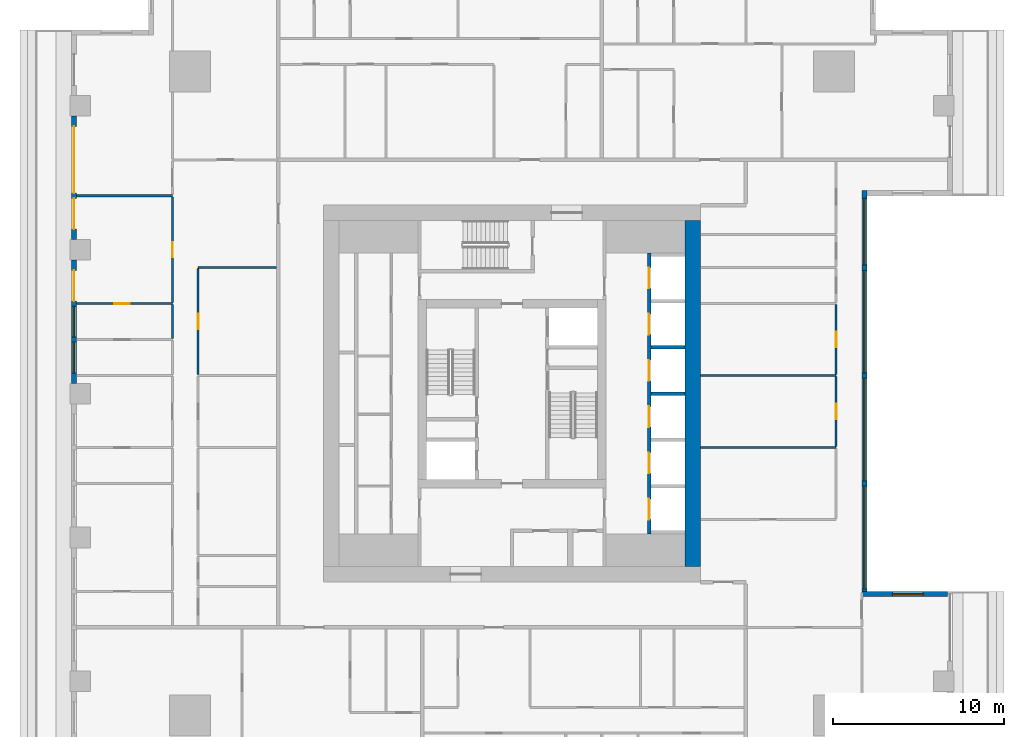
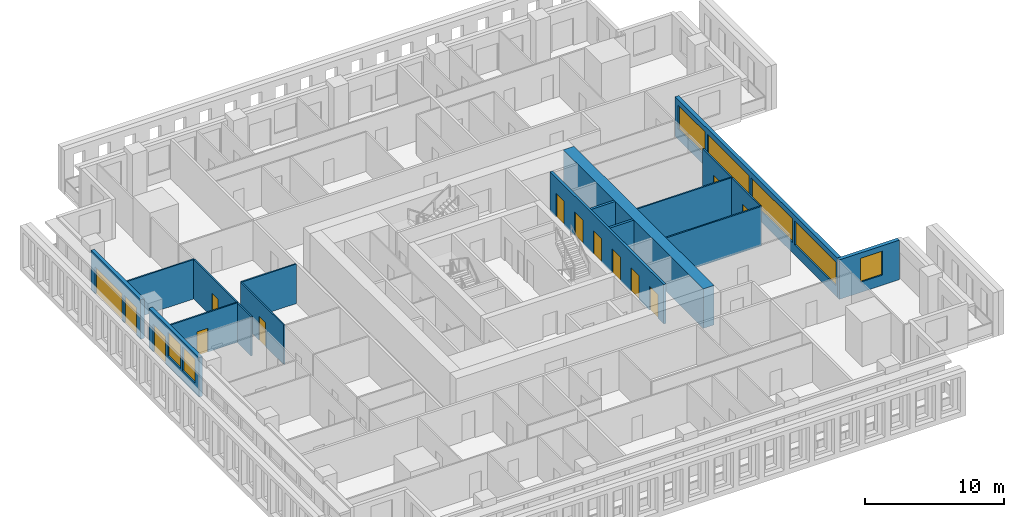
# One storey, part 6 of 15: 18 walls, 14 doors, 7 windows, 21 openings.
"""IFC4 building model written with IfcOpenShell, lengths in metres."""

from ifc_helpers import new_model, si_unit, direction, frame, frame_2d, origin, place, context, subcontext, project, spatial, rectangle, extrude, material, layer, layer_set, type_object, element, fill, save


model = new_model("IFC4")

# Units and contexts
model_context = context("Model", 3, precision=1e-05, world=origin(), true_north=direction((0.0, 1.0)))
body_context = subcontext(model_context, "Body", "Model", "MODEL_VIEW")
ifc_project = project(units=[si_unit("LENGTHUNIT", "METRE"), si_unit("AREAUNIT", "SQUARE_METRE"), si_unit("VOLUMEUNIT", "CUBIC_METRE"), si_unit("PLANEANGLEUNIT", "RADIAN"), si_unit("MASSUNIT", "GRAM", prefix="KILO")], contexts=[model_context])

# Site, building, storey
site_placement = place(None, origin())
site = spatial("IfcSite", under=ifc_project, at=site_placement, CompositionType="ELEMENT")
building_placement = place(site_placement, origin())
building = spatial("IfcBuilding", under=site, at=building_placement, Name="Khepri Terraces", CompositionType="ELEMENT")
storey_placement = place(building_placement, frame((0.0, 0.0, 223.5)))
storey = spatial("IfcBuildingStorey", under=building, at=storey_placement, Name="L53", CompositionType="ELEMENT", Elevation=223.5)

# Wall, openings, doors
ifc_material_1 = material(Name="Concrete C50/60", Category="concrete")
ifc_layer_1 = layer(ifc_material_1, 0.199951171875, Name="Concrete C50/60", Category="concrete")
ifc_layer_set_1 = layer_set([ifc_layer_1], Name="Concrete C50/60")
wall_type_1 = type_object("IfcWallType", Name="Core wall 200 C50/60", PredefinedType="SHEAR", material=ifc_layer_set_1)
wall_1_placement = place(storey_placement, frame((8.0, -8.199951171875, 0.0), z_axis=(0.0, 0.0, 1.0), x_axis=(0.0, 1.0, 0.0)))
wall_1 = element("IfcWall", 1, at=wall_1_placement, inside=storey, type_object=wall_type_1, Name="Core wall SH02 L53", PredefinedType="SHEAR", context=body_context, shape_type="SweptSolid", body=[
    extrude(rectangle(XDim=16.39990234375, YDim=0.199951171875, at=frame_2d((8.199951171875, 0.0))), origin(), (0.0, 0.0, 1.0), 3.47998046875),
])
opening_1_placement = place(wall_1_placement, frame((0.85009765625, 0.0, 0.0)))
opening_1 = element("IfcOpeningElement", 2, at=opening_1_placement, cuts=wall_1, Name="Opening L53-C01", PredefinedType="OPENING", context=body_context, shape_type="SweptSolid", body=[
    extrude(rectangle(XDim=1.199951171875, YDim=2.10009765625, at=frame_2d((0.60009765625, 1.050048828125))), frame((0.0, 0.10986328125, 0.0), z_axis=(0.0, -1.0, 0.0), x_axis=(1.0, 0.0, 0.0)), (0.0, 0.0, 1.0), 0.219970703125),
])
opening_2_placement = place(wall_1_placement, frame((3.550048828125, 0.0, 0.0)))
opening_2 = element("IfcOpeningElement", 3, at=opening_2_placement, cuts=wall_1, Name="Opening L53-C02", PredefinedType="OPENING", context=body_context, shape_type="SweptSolid", body=[
    extrude(rectangle(XDim=1.199951171875, YDim=2.10009765625, at=frame_2d((0.60009765625, 1.050048828125))), frame((0.0, 0.10986328125, 0.0), z_axis=(0.0, -1.0, 0.0), x_axis=(1.0, 0.0, 0.0)), (0.0, 0.0, 1.0), 0.219970703125),
])
opening_3_placement = place(wall_1_placement, frame((6.25, 0.0, 0.0)))
opening_3 = element("IfcOpeningElement", 4, at=opening_3_placement, cuts=wall_1, Name="Opening L53-C03", PredefinedType="OPENING", context=body_context, shape_type="SweptSolid", body=[
    extrude(rectangle(XDim=1.199951171875, YDim=2.10009765625, at=frame_2d((0.60009765625, 1.050048828125))), frame((0.0, 0.10986328125, 0.0), z_axis=(0.0, -1.0, 0.0), x_axis=(1.0, 0.0, 0.0)), (0.0, 0.0, 1.0), 0.219970703125),
])
opening_4_placement = place(wall_1_placement, frame((8.949951171875, 0.0, 0.0)))
opening_4 = element("IfcOpeningElement", 5, at=opening_4_placement, cuts=wall_1, Name="Opening L53-C04", PredefinedType="OPENING", context=body_context, shape_type="SweptSolid", body=[
    extrude(rectangle(XDim=1.199951171875, YDim=2.10009765625, at=frame_2d((0.60009765625, 1.050048828125))), frame((0.0, 0.10986328125, 0.0), z_axis=(0.0, -1.0, 0.0), x_axis=(1.0, 0.0, 0.0)), (0.0, 0.0, 1.0), 0.219970703125),
])
opening_5_placement = place(wall_1_placement, frame((11.64990234375, 0.0, 0.0)))
opening_5 = element("IfcOpeningElement", 6, at=opening_5_placement, cuts=wall_1, Name="Opening L53-C05", PredefinedType="OPENING", context=body_context, shape_type="SweptSolid", body=[
    extrude(rectangle(XDim=1.199951171875, YDim=2.10009765625, at=frame_2d((0.60009765625, 1.050048828125))), frame((0.0, 0.10986328125, 0.0), z_axis=(0.0, -1.0, 0.0), x_axis=(1.0, 0.0, 0.0)), (0.0, 0.0, 1.0), 0.219970703125),
])
opening_6_placement = place(wall_1_placement, frame((14.35009765625, 0.0, 0.0)))
opening_6 = element("IfcOpeningElement", 7, at=opening_6_placement, cuts=wall_1, Name="Opening L53-C06", PredefinedType="OPENING", context=body_context, shape_type="SweptSolid", body=[
    extrude(rectangle(XDim=1.199951171875, YDim=2.10009765625, at=frame_2d((0.60009765625, 1.050048828125))), frame((0.0, 0.10986328125, 0.0), z_axis=(0.0, -1.0, 0.0), x_axis=(1.0, 0.0, 0.0)), (0.0, 0.0, 1.0), 0.219970703125),
])
ifc_material_2 = material(Name="Stainless steel 304", Category="steel")
door_type_1 = type_object("IfcDoorType", Name="DR-CORE-LANDING-1200", OperationType="NOTDEFINED", PredefinedType="DOOR", material=ifc_material_2)
door_1_placement = place(opening_1_placement, origin())
door_1 = element("IfcDoor", 8, at=door_1_placement, inside=storey, type_object=door_type_1, Name="Lift landing door L53-C01", OperationType="SLIDING_TO_LEFT", OverallHeight=2.10009765625, OverallWidth=1.199951171875, PredefinedType="DOOR", context=body_context, shape_type="SweptSolid", body=[
    extrude(rectangle(XDim=1.199951171875, YDim=2.10009765625, at=frame_2d((0.60009765625, 1.050048828125))), frame((0.0, 0.02490234375, 0.0), z_axis=(0.0, -1.0, 0.0), x_axis=(1.0, 0.0, 0.0)), (0.0, 0.0, 1.0), 0.050048828125),
])
fill(opening_1, door_1)
door_2_placement = place(opening_2_placement, origin())
door_2 = element("IfcDoor", 9, at=door_2_placement, inside=storey, type_object=door_type_1, Name="Lift landing door L53-C02", OperationType="SLIDING_TO_LEFT", OverallHeight=2.10009765625, OverallWidth=1.199951171875, PredefinedType="DOOR", context=body_context, shape_type="SweptSolid", body=[
    extrude(rectangle(XDim=1.199951171875, YDim=2.10009765625, at=frame_2d((0.60009765625, 1.050048828125))), frame((0.0, 0.02490234375, 0.0), z_axis=(0.0, -1.0, 0.0), x_axis=(1.0, 0.0, 0.0)), (0.0, 0.0, 1.0), 0.050048828125),
])
fill(opening_2, door_2)
door_3_placement = place(opening_3_placement, origin())
door_3 = element("IfcDoor", 10, at=door_3_placement, inside=storey, type_object=door_type_1, Name="Lift landing door L53-C03", OperationType="SLIDING_TO_LEFT", OverallHeight=2.10009765625, OverallWidth=1.199951171875, PredefinedType="DOOR", context=body_context, shape_type="SweptSolid", body=[
    extrude(rectangle(XDim=1.199951171875, YDim=2.10009765625, at=frame_2d((0.60009765625, 1.050048828125))), frame((0.0, 0.02490234375, 0.0), z_axis=(0.0, -1.0, 0.0), x_axis=(1.0, 0.0, 0.0)), (0.0, 0.0, 1.0), 0.050048828125),
])
fill(opening_3, door_3)
door_4_placement = place(opening_4_placement, origin())
door_4 = element("IfcDoor", 11, at=door_4_placement, inside=storey, type_object=door_type_1, Name="Lift landing door L53-C04", OperationType="SLIDING_TO_LEFT", OverallHeight=2.10009765625, OverallWidth=1.199951171875, PredefinedType="DOOR", context=body_context, shape_type="SweptSolid", body=[
    extrude(rectangle(XDim=1.199951171875, YDim=2.10009765625, at=frame_2d((0.60009765625, 1.050048828125))), frame((0.0, 0.02490234375, 0.0), z_axis=(0.0, -1.0, 0.0), x_axis=(1.0, 0.0, 0.0)), (0.0, 0.0, 1.0), 0.050048828125),
])
fill(opening_4, door_4)
door_5_placement = place(opening_5_placement, origin())
door_5 = element("IfcDoor", 12, at=door_5_placement, inside=storey, type_object=door_type_1, Name="Lift landing door L53-C05", OperationType="SLIDING_TO_LEFT", OverallHeight=2.10009765625, OverallWidth=1.199951171875, PredefinedType="DOOR", context=body_context, shape_type="SweptSolid", body=[
    extrude(rectangle(XDim=1.199951171875, YDim=2.10009765625, at=frame_2d((0.60009765625, 1.050048828125))), frame((0.0, 0.02490234375, 0.0), z_axis=(0.0, -1.0, 0.0), x_axis=(1.0, 0.0, 0.0)), (0.0, 0.0, 1.0), 0.050048828125),
])
fill(opening_5, door_5)
door_6_placement = place(opening_6_placement, origin())
door_6 = element("IfcDoor", 13, at=door_6_placement, inside=storey, type_object=door_type_1, Name="Lift landing door L53-C06", OperationType="SLIDING_TO_LEFT", OverallHeight=2.10009765625, OverallWidth=1.199951171875, PredefinedType="DOOR", context=body_context, shape_type="SweptSolid", body=[
    extrude(rectangle(XDim=1.199951171875, YDim=2.10009765625, at=frame_2d((0.60009765625, 1.050048828125))), frame((0.0, 0.02490234375, 0.0), z_axis=(0.0, -1.0, 0.0), x_axis=(1.0, 0.0, 0.0)), (0.0, 0.0, 1.0), 0.050048828125),
])
fill(opening_6, door_6)

# Walls
for number, where, z_axis, x_axis, name in (
    (14, (8.10009765625, 0.0, 0.0), (0.0, 0.0, 1.0), (1.0, 0.0, 0.0), "Core wall SH09 L53"),
    (15, (8.10009765625, 2.699951171875, 0.0), (0.0, 0.0, 1.0), (1.0, 0.0, 0.0), "Core wall SH13 L53"),
):
    element("IfcWall", number, at=place(storey_placement, frame(where, z_axis=z_axis, x_axis=x_axis)), inside=storey, type_object=wall_type_1, Name=name, PredefinedType="SHEAR", context=body_context, shape_type="SweptSolid", body=[
        extrude(rectangle(XDim=2.0, YDim=0.199951171875, at=frame_2d((1.0, 0.0))), origin(), (0.0, 0.0, 1.0), 3.47998046875),
    ])
ifc_layer_2 = layer(ifc_material_1, 0.89990234375, Name="Concrete C50/60", Category="concrete")
ifc_layer_set_2 = layer_set([ifc_layer_2], Name="Concrete C50/60")
wall_type_2 = type_object("IfcWallType", Name="Core wall 900 C50/60", PredefinedType="SHEAR", material=ifc_layer_set_2)
wall_2_placement = place(storey_placement, frame((10.550048828125, -10.10009765625, 0.0), z_axis=(0.0, 0.0, 1.0), x_axis=(0.0, 1.0, 0.0)))
element("IfcWall", 16, at=wall_2_placement, inside=storey, type_object=wall_type_2, Name="Core wall OW-E L53", PredefinedType="SHEAR", context=body_context, shape_type="SweptSolid", body=[
    extrude(rectangle(XDim=20.2001953125, YDim=0.89990234375, at=frame_2d((10.10009765625, 0.0))), origin(), (0.0, 0.0, 1.0), 3.47998046875),
])

# Wall, opening, window
ifc_material_3 = material(Name="Precast concrete C50/60 warm stone", Category="masonry")
ifc_layer_3 = layer(ifc_material_3, 0.300048828125, Name="Precast concrete C50/60 warm stone", Category="masonry")
ifc_layer_set_3 = layer_set([ifc_layer_3], Name="Precast concrete C50/60 warm stone")
wall_type_3 = type_object("IfcWallType", Name="WL-EXT-PRECAST-300", PredefinedType="STANDARD", material=ifc_layer_set_3)
wall_3_placement = place(storey_placement, frame((25.419921875, -11.699951171875, 0.0), z_axis=(0.0, 0.0, 1.0), x_axis=(-1.0, 0.0, 0.0)))
wall_3 = element("IfcWall", 17, at=wall_3_placement, inside=storey, type_object=wall_type_3, Name="External wall L53 N", PredefinedType="STANDARD", context=body_context, shape_type="SweptSolid", body=[
    extrude(rectangle(XDim=5.0, YDim=0.300048828125, at=frame_2d((2.5, 0.0))), origin(), (0.0, 0.0, 1.0), 3.47998046875),
])
opening_7_placement = place(wall_3_placement, frame((1.419921875, 0.0, 0.89990234375)))
opening_7 = element("IfcOpeningElement", 18, at=opening_7_placement, cuts=wall_3, Name="Opening W1", PredefinedType="OPENING", context=body_context, shape_type="SweptSolid", body=[
    extrude(rectangle(XDim=1.800048828125, YDim=2.10009765625, at=frame_2d((0.89990234375, 1.050048828125))), frame((0.0, 0.16015625, 0.0), z_axis=(0.0, -1.0, 0.0), x_axis=(1.0, 0.0, 0.0)), (0.0, 0.0, 1.0), 0.320068359375),
])
ifc_material_4 = material(Name="Clear glass", Category="glass")
window_type_1 = type_object("IfcWindowType", Name="WIN-RES-1800x2100", PartitioningType="SINGLE_PANEL", PredefinedType="WINDOW", material=ifc_material_4)
window_1_placement = place(opening_7_placement, origin())
window_1 = element("IfcWindow", 19, at=window_1_placement, inside=storey, type_object=window_type_1, Name="Window L53 N", OverallHeight=2.10009765625, OverallWidth=1.800048828125, PartitioningType="SINGLE_PANEL", PredefinedType="WINDOW", context=body_context, shape_type="SweptSolid", body=[
    extrude(rectangle(XDim=1.800048828125, YDim=2.10009765625, at=frame_2d((0.89990234375, 1.050048828125))), frame((0.0, 0.030029296875, 0.0), z_axis=(0.0, -1.0, 0.0), x_axis=(1.0, 0.0, 0.0)), (0.0, 0.0, 1.0), 0.06005859375),
])
fill(opening_7, window_1)

# Wall, openings, windows
wall_4_placement = place(storey_placement, frame((20.570068359375, -11.550048828125, 0.0), z_axis=(0.0, 0.0, 1.0), x_axis=(0.0, 1.0, 0.0)))
wall_4 = element("IfcWall", 20, at=wall_4_placement, inside=storey, type_object=wall_type_3, Name="External wall L53 E", PredefinedType="STANDARD", context=body_context, shape_type="SweptSolid", body=[
    extrude(rectangle(XDim=23.400146484375, YDim=0.300048828125, at=frame_2d((11.7001953125, 0.0))), origin(), (0.0, 0.0, 1.0), 3.47998046875),
])
opening_8_placement = place(wall_4_placement, frame((0.14990234375, 0.0, 0.89990234375)))
opening_8 = element("IfcOpeningElement", 21, at=opening_8_placement, cuts=wall_4, Name="Opening W3", PredefinedType="OPENING", context=body_context, shape_type="SweptSolid", body=[
    extrude(rectangle(XDim=6.0, YDim=2.10009765625, at=frame_2d((3.0, 1.050048828125))), frame((0.0, 0.16015625, 0.0), z_axis=(0.0, -1.0, 0.0), x_axis=(1.0, 0.0, 0.0)), (0.0, 0.0, 1.0), 0.320068359375),
])
opening_9_placement = place(wall_4_placement, frame((6.449951171875, 0.0, 0.89990234375)))
opening_9 = element("IfcOpeningElement", 22, at=opening_9_placement, cuts=wall_4, Name="Opening W3", PredefinedType="OPENING", context=body_context, shape_type="SweptSolid", body=[
    extrude(rectangle(XDim=6.0, YDim=2.10009765625, at=frame_2d((3.0, 1.050048828125))), frame((0.0, 0.16015625, 0.0), z_axis=(0.0, -1.0, 0.0), x_axis=(1.0, 0.0, 0.0)), (0.0, 0.0, 1.0), 0.320068359375),
])
opening_10_placement = place(wall_4_placement, frame((12.75, 0.0, 0.89990234375)))
opening_10 = element("IfcOpeningElement", 23, at=opening_10_placement, cuts=wall_4, Name="Opening W3", PredefinedType="OPENING", context=body_context, shape_type="SweptSolid", body=[
    extrude(rectangle(XDim=6.0, YDim=2.10009765625, at=frame_2d((3.0, 1.050048828125))), frame((0.0, 0.16015625, 0.0), z_axis=(0.0, -1.0, 0.0), x_axis=(1.0, 0.0, 0.0)), (0.0, 0.0, 1.0), 0.320068359375),
])
opening_11_placement = place(wall_4_placement, frame((19.050048828125, 0.0, 0.89990234375)))
opening_11 = element("IfcOpeningElement", 24, at=opening_11_placement, cuts=wall_4, Name="Opening W2", PredefinedType="OPENING", context=body_context, shape_type="SweptSolid", body=[
    extrude(rectangle(XDim=3.89990234375, YDim=2.10009765625, at=frame_2d((1.949951171875, 1.050048828125))), frame((0.0, 0.16015625, 0.0), z_axis=(0.0, -1.0, 0.0), x_axis=(1.0, 0.0, 0.0)), (0.0, 0.0, 1.0), 0.320068359375),
])
window_type_2 = type_object("IfcWindowType", Name="WIN-RES-3900x2100", PartitioningType="SINGLE_PANEL", PredefinedType="WINDOW", material=ifc_material_4)
window_2_placement = place(opening_11_placement, origin())
window_2 = element("IfcWindow", 25, at=window_2_placement, inside=storey, type_object=window_type_2, Name="Window L53 E", OverallHeight=2.10009765625, OverallWidth=3.89990234375, PartitioningType="SINGLE_PANEL", PredefinedType="WINDOW", context=body_context, shape_type="SweptSolid", body=[
    extrude(rectangle(XDim=3.89990234375, YDim=2.10009765625, at=frame_2d((1.949951171875, 1.050048828125))), frame((0.0, 0.030029296875, 0.0), z_axis=(0.0, -1.0, 0.0), x_axis=(1.0, 0.0, 0.0)), (0.0, 0.0, 1.0), 0.06005859375),
])
fill(opening_11, window_2)
window_type_3 = type_object("IfcWindowType", Name="WIN-RES-6000x2100", PartitioningType="SINGLE_PANEL", PredefinedType="WINDOW", material=ifc_material_4)
window_3_placement = place(opening_8_placement, origin())
window_3 = element("IfcWindow", 26, at=window_3_placement, inside=storey, type_object=window_type_3, Name="Window L53 E", OverallHeight=2.10009765625, OverallWidth=6.0, PartitioningType="SINGLE_PANEL", PredefinedType="WINDOW", context=body_context, shape_type="SweptSolid", body=[
    extrude(rectangle(XDim=6.0, YDim=2.10009765625, at=frame_2d((3.0, 1.050048828125))), frame((0.0, 0.030029296875, 0.0), z_axis=(0.0, -1.0, 0.0), x_axis=(1.0, 0.0, 0.0)), (0.0, 0.0, 1.0), 0.06005859375),
])
fill(opening_8, window_3)
window_4_placement = place(opening_9_placement, origin())
window_4 = element("IfcWindow", 27, at=window_4_placement, inside=storey, type_object=window_type_3, Name="Window L53 E", OverallHeight=2.10009765625, OverallWidth=6.0, PartitioningType="SINGLE_PANEL", PredefinedType="WINDOW", context=body_context, shape_type="SweptSolid", body=[
    extrude(rectangle(XDim=6.0, YDim=2.10009765625, at=frame_2d((3.0, 1.050048828125))), frame((0.0, 0.030029296875, 0.0), z_axis=(0.0, -1.0, 0.0), x_axis=(1.0, 0.0, 0.0)), (0.0, 0.0, 1.0), 0.06005859375),
])
fill(opening_9, window_4)
window_5_placement = place(opening_10_placement, origin())
window_5 = element("IfcWindow", 28, at=window_5_placement, inside=storey, type_object=window_type_3, Name="Window L53 E", OverallHeight=2.10009765625, OverallWidth=6.0, PartitioningType="SINGLE_PANEL", PredefinedType="WINDOW", context=body_context, shape_type="SweptSolid", body=[
    extrude(rectangle(XDim=6.0, YDim=2.10009765625, at=frame_2d((3.0, 1.050048828125))), frame((0.0, 0.030029296875, 0.0), z_axis=(0.0, -1.0, 0.0), x_axis=(1.0, 0.0, 0.0)), (0.0, 0.0, 1.0), 0.06005859375),
])
fill(opening_10, window_5)

# Wall, openings, doors
wall_5_placement = place(storey_placement, frame((-25.570068359375, 16.199951171875, 0.0), z_axis=(0.0, 0.0, 1.0), x_axis=(0.0, -1.0, 0.0)))
wall_5 = element("IfcWall", 29, at=wall_5_placement, inside=storey, type_object=wall_type_3, Name="External wall L53 W", PredefinedType="STANDARD", context=body_context, shape_type="SweptSolid", body=[
    extrude(rectangle(XDim=7.199951171875, YDim=0.300048828125, at=frame_2d((3.60009765625, 0.0))), origin(), (0.0, 0.0, 1.0), 3.47998046875),
])
opening_12_placement = place(wall_5_placement, frame((0.60009765625, 0.0, 0.0)))
opening_12 = element("IfcOpeningElement", 30, at=opening_12_placement, cuts=wall_5, Name="Opening ED-L53-11", PredefinedType="OPENING", context=body_context, shape_type="SweptSolid", body=[
    extrude(rectangle(XDim=3.89990234375, YDim=2.39990234375, at=frame_2d((1.949951171875, 1.199951171875))), frame((0.0, 0.16015625, 0.0), z_axis=(0.0, -1.0, 0.0), x_axis=(1.0, 0.0, 0.0)), (0.0, 0.0, 1.0), 0.320068359375),
])
opening_13_placement = place(wall_5_placement, frame((4.800048828125, 0.0, 0.0)))
opening_13 = element("IfcOpeningElement", 31, at=opening_13_placement, cuts=wall_5, Name="Opening ED-L53-12", PredefinedType="OPENING", context=body_context, shape_type="SweptSolid", body=[
    extrude(rectangle(XDim=1.800048828125, YDim=2.39990234375, at=frame_2d((0.89990234375, 1.199951171875))), frame((0.0, 0.16015625, 0.0), z_axis=(0.0, -1.0, 0.0), x_axis=(1.0, 0.0, 0.0)), (0.0, 0.0, 1.0), 0.320068359375),
])
ifc_material_5 = material(Name="Anodised aluminium bronze glazed door", Category="aluminium")
door_type_2 = type_object("IfcDoorType", Name="DR-BAL-SLIDE-1800x2400", OperationType="NOTDEFINED", PredefinedType="DOOR", material=ifc_material_5)
door_7_placement = place(opening_13_placement, origin())
door_7 = element("IfcDoor", 32, at=door_7_placement, inside=storey, type_object=door_type_2, Name="Balcony door L53 W", OperationType="SLIDING_TO_RIGHT", OverallHeight=2.39990234375, OverallWidth=1.800048828125, PredefinedType="DOOR", context=body_context, shape_type="SweptSolid", body=[
    extrude(rectangle(XDim=1.800048828125, YDim=2.39990234375, at=frame_2d((0.89990234375, 1.199951171875))), frame((0.0, 0.02490234375, 0.0), z_axis=(0.0, -1.0, 0.0), x_axis=(1.0, 0.0, 0.0)), (0.0, 0.0, 1.0), 0.050048828125),
])
fill(opening_13, door_7)
door_type_3 = type_object("IfcDoorType", Name="DR-BAL-SLIDE-3900x2400", OperationType="NOTDEFINED", PredefinedType="DOOR", material=ifc_material_5)
door_8_placement = place(opening_12_placement, origin())
door_8 = element("IfcDoor", 33, at=door_8_placement, inside=storey, type_object=door_type_3, Name="Balcony door L53 W", OperationType="SLIDING_TO_LEFT", OverallHeight=2.39990234375, OverallWidth=3.89990234375, PredefinedType="DOOR", context=body_context, shape_type="SweptSolid", body=[
    extrude(rectangle(XDim=3.89990234375, YDim=2.39990234375, at=frame_2d((1.949951171875, 1.199951171875))), frame((0.0, 0.02490234375, 0.0), z_axis=(0.0, -1.0, 0.0), x_axis=(1.0, 0.0, 0.0)), (0.0, 0.0, 1.0), 0.050048828125),
])
fill(opening_12, door_8)

# Wall, openings, door, windows
wall_6_placement = place(storey_placement, frame((-25.570068359375, 7.800048828125, 0.0), z_axis=(0.0, 0.0, 1.0), x_axis=(0.0, -1.0, 0.0)))
wall_6 = element("IfcWall", 34, at=wall_6_placement, inside=storey, type_object=wall_type_3, Name="External wall L53 W", PredefinedType="STANDARD", context=body_context, shape_type="SweptSolid", body=[
    extrude(rectangle(XDim=7.199951171875, YDim=0.300048828125, at=frame_2d((3.60009765625, 0.0))), origin(), (0.0, 0.0, 1.0), 3.47998046875),
])
opening_14_placement = place(wall_6_placement, frame((0.60009765625, 0.0, 0.0)))
opening_14 = element("IfcOpeningElement", 35, at=opening_14_placement, cuts=wall_6, Name="Opening ED-L53-13", PredefinedType="OPENING", context=body_context, shape_type="SweptSolid", body=[
    extrude(rectangle(XDim=1.800048828125, YDim=2.39990234375, at=frame_2d((0.89990234375, 1.199951171875))), frame((0.0, 0.16015625, 0.0), z_axis=(0.0, -1.0, 0.0), x_axis=(1.0, 0.0, 0.0)), (0.0, 0.0, 1.0), 0.320068359375),
])
opening_15_placement = place(wall_6_placement, frame((2.699951171875, 0.0, 0.89990234375)))
opening_15 = element("IfcOpeningElement", 36, at=opening_15_placement, cuts=wall_6, Name="Opening W1", PredefinedType="OPENING", context=body_context, shape_type="SweptSolid", body=[
    extrude(rectangle(XDim=1.800048828125, YDim=2.10009765625, at=frame_2d((0.89990234375, 1.050048828125))), frame((0.0, 0.16015625, 0.0), z_axis=(0.0, -1.0, 0.0), x_axis=(1.0, 0.0, 0.0)), (0.0, 0.0, 1.0), 0.320068359375),
])
opening_16_placement = place(wall_6_placement, frame((4.800048828125, 0.0, 0.89990234375)))
opening_16 = element("IfcOpeningElement", 37, at=opening_16_placement, cuts=wall_6, Name="Opening W1", PredefinedType="OPENING", context=body_context, shape_type="SweptSolid", body=[
    extrude(rectangle(XDim=1.800048828125, YDim=2.10009765625, at=frame_2d((0.89990234375, 1.050048828125))), frame((0.0, 0.16015625, 0.0), z_axis=(0.0, -1.0, 0.0), x_axis=(1.0, 0.0, 0.0)), (0.0, 0.0, 1.0), 0.320068359375),
])
door_9_placement = place(opening_14_placement, origin())
door_9 = element("IfcDoor", 38, at=door_9_placement, inside=storey, type_object=door_type_2, Name="Balcony door L53 W", OperationType="SLIDING_TO_LEFT", OverallHeight=2.39990234375, OverallWidth=1.800048828125, PredefinedType="DOOR", context=body_context, shape_type="SweptSolid", body=[
    extrude(rectangle(XDim=1.800048828125, YDim=2.39990234375, at=frame_2d((0.89990234375, 1.199951171875))), frame((0.0, 0.02490234375, 0.0), z_axis=(0.0, -1.0, 0.0), x_axis=(1.0, 0.0, 0.0)), (0.0, 0.0, 1.0), 0.050048828125),
])
fill(opening_14, door_9)
window_6_placement = place(opening_15_placement, origin())
window_6 = element("IfcWindow", 39, at=window_6_placement, inside=storey, type_object=window_type_1, Name="Window L53 W", OverallHeight=2.10009765625, OverallWidth=1.800048828125, PartitioningType="SINGLE_PANEL", PredefinedType="WINDOW", context=body_context, shape_type="SweptSolid", body=[
    extrude(rectangle(XDim=1.800048828125, YDim=2.10009765625, at=frame_2d((0.89990234375, 1.050048828125))), frame((0.0, 0.030029296875, 0.0), z_axis=(0.0, -1.0, 0.0), x_axis=(1.0, 0.0, 0.0)), (0.0, 0.0, 1.0), 0.06005859375),
])
fill(opening_15, window_6)
window_7_placement = place(opening_16_placement, origin())
window_7 = element("IfcWindow", 40, at=window_7_placement, inside=storey, type_object=window_type_1, Name="Window L53 W", OverallHeight=2.10009765625, OverallWidth=1.800048828125, PartitioningType="SINGLE_PANEL", PredefinedType="WINDOW", context=body_context, shape_type="SweptSolid", body=[
    extrude(rectangle(XDim=1.800048828125, YDim=2.10009765625, at=frame_2d((0.89990234375, 1.050048828125))), frame((0.0, 0.030029296875, 0.0), z_axis=(0.0, -1.0, 0.0), x_axis=(1.0, 0.0, 0.0)), (0.0, 0.0, 1.0), 0.06005859375),
])
fill(opening_16, window_7)

# Wall
ifc_material_6 = material(Name="Gypsum plasterboard partition")
ifc_layer_4 = layer(ifc_material_6, 0.1201171875, Name="Gypsum plasterboard partition")
ifc_layer_set_4 = layer_set([ifc_layer_4], Name="Gypsum plasterboard partition")
wall_type_4 = type_object("IfcWallType", Name="WL-PART-120", PredefinedType="PARTITIONING", material=ifc_layer_set_4)
wall_7_placement = place(storey_placement, frame((11.0, -3.14990234375, 0.0), z_axis=(0.0, 0.0, 1.0), x_axis=(1.0, 0.0, 0.0)))
element("IfcWall", 41, at=wall_7_placement, inside=storey, type_object=wall_type_4, Name="Partition P-044 L53", PredefinedType="PARTITIONING", context=body_context, shape_type="SweptSolid", body=[
    extrude(rectangle(XDim=7.919921875, YDim=0.1201171875, at=frame_2d((3.9599609375, 0.0))), origin(), (0.0, 0.0, 1.0), 3.47998046875),
])

# Wall, opening, door
wall_8_placement = place(storey_placement, frame((18.919921875, -3.090087890625, 0.0), z_axis=(0.0, 0.0, 1.0), x_axis=(0.0, 1.0, 0.0)))
wall_8 = element("IfcWall", 42, at=wall_8_placement, inside=storey, type_object=wall_type_4, Name="Partition P-047 L53", PredefinedType="PARTITIONING", context=body_context, shape_type="SweptSolid", body=[
    extrude(rectangle(XDim=4.080078125, YDim=0.1201171875, at=frame_2d((2.0400390625, 0.0))), origin(), (0.0, 0.0, 1.0), 3.47998046875),
])
opening_17_placement = place(wall_8_placement, frame((1.590087890625, 0.0, 0.0)))
opening_17 = element("IfcOpeningElement", 43, at=opening_17_placement, cuts=wall_8, Name="Opening D3", PredefinedType="OPENING", context=body_context, shape_type="SweptSolid", body=[
    extrude(rectangle(XDim=0.89990234375, YDim=2.10009765625, at=frame_2d((0.449951171875, 1.050048828125))), frame((0.0, 0.070068359375, 0.0), z_axis=(0.0, -1.0, 0.0), x_axis=(1.0, 0.0, 0.0)), (0.0, 0.0, 1.0), 0.14013671875),
])
ifc_material_7 = material(Name="Timber door leaf", Category="wood")
door_type_4 = type_object("IfcDoorType", Name="DR-INT-900", OperationType="NOTDEFINED", PredefinedType="DOOR", material=ifc_material_7)
door_10_placement = place(opening_17_placement, origin())
door_10 = element("IfcDoor", 44, at=door_10_placement, inside=storey, type_object=door_type_4, Name="Door Service Kitchen", OperationType="SINGLE_SWING_RIGHT", OverallHeight=2.10009765625, OverallWidth=0.89990234375, PredefinedType="DOOR", context=body_context, shape_type="SweptSolid", body=[
    extrude(rectangle(XDim=0.89990234375, YDim=2.10009765625, at=frame_2d((0.449951171875, 1.050048828125))), frame((0.0, 0.02490234375, 0.0), z_axis=(0.0, -1.0, 0.0), x_axis=(1.0, 0.0, 0.0)), (0.0, 0.0, 1.0), 0.050048828125),
])
fill(opening_17, door_10)

# Wall
wall_9_placement = place(storey_placement, frame((11.0, 1.050048828125, 0.0), z_axis=(0.0, 0.0, 1.0), x_axis=(1.0, 0.0, 0.0)))
element("IfcWall", 45, at=wall_9_placement, inside=storey, type_object=wall_type_4, Name="Partition P-050 L53", PredefinedType="PARTITIONING", context=body_context, shape_type="SweptSolid", body=[
    extrude(rectangle(XDim=7.919921875, YDim=0.1201171875, at=frame_2d((3.9599609375, 0.0))), origin(), (0.0, 0.0, 1.0), 3.47998046875),
])

# Wall, opening, door
wall_10_placement = place(storey_placement, frame((-18.320068359375, 1.110107421875, 0.0), z_axis=(0.0, 0.0, 1.0), x_axis=(0.0, 1.0, 0.0)))
wall_10 = element("IfcWall", 46, at=wall_10_placement, inside=storey, type_object=wall_type_4, Name="Partition P-052 L53", PredefinedType="PARTITIONING", context=body_context, shape_type="SweptSolid", body=[
    extrude(rectangle(XDim=6.179931640625, YDim=0.1201171875, at=frame_2d((3.08984375, 0.0))), origin(), (0.0, 0.0, 1.0), 3.47998046875),
])
opening_18_placement = place(wall_10_placement, frame((2.639892578125, 0.0, 0.0)))
opening_18 = element("IfcOpeningElement", 47, at=opening_18_placement, cuts=wall_10, Name="Opening D3", PredefinedType="OPENING", context=body_context, shape_type="SweptSolid", body=[
    extrude(rectangle(XDim=0.89990234375, YDim=2.10009765625, at=frame_2d((0.449951171875, 1.050048828125))), frame((0.0, 0.070068359375, 0.0), z_axis=(0.0, -1.0, 0.0), x_axis=(1.0, 0.0, 0.0)), (0.0, 0.0, 1.0), 0.14013671875),
])
door_11_placement = place(opening_18_placement, frame((0.89990234375, 0.0, 0.0), z_axis=(0.0, 0.0, 1.0), x_axis=(-1.0, 0.0, 0.0)))
door_11 = element("IfcDoor", 48, at=door_11_placement, inside=storey, type_object=door_type_4, Name="Door Kitchen", OperationType="SINGLE_SWING_LEFT", OverallHeight=2.10009765625, OverallWidth=0.89990234375, PredefinedType="DOOR", context=body_context, shape_type="SweptSolid", body=[
    extrude(rectangle(XDim=0.89990234375, YDim=2.10009765625, at=frame_2d((0.449951171875, 1.050048828125))), frame((0.0, 0.02490234375, 0.0), z_axis=(0.0, -1.0, 0.0), x_axis=(1.0, 0.0, 0.0)), (0.0, 0.0, 1.0), 0.050048828125),
])
fill(opening_18, door_11)

wall_11_placement = place(storey_placement, frame((18.919921875, 1.110107421875, 0.0), z_axis=(0.0, 0.0, 1.0), x_axis=(0.0, 1.0, 0.0)))
wall_11 = element("IfcWall", 49, at=wall_11_placement, inside=storey, type_object=wall_type_4, Name="Partition P-053 L53", PredefinedType="PARTITIONING", context=body_context, shape_type="SweptSolid", body=[
    extrude(rectangle(XDim=4.079833984375, YDim=0.1201171875, at=frame_2d((2.0400390625, 0.0))), origin(), (0.0, 0.0, 1.0), 3.47998046875),
])
opening_19_placement = place(wall_11_placement, frame((1.590087890625, 0.0, 0.0)))
opening_19 = element("IfcOpeningElement", 50, at=opening_19_placement, cuts=wall_11, Name="Opening D3", PredefinedType="OPENING", context=body_context, shape_type="SweptSolid", body=[
    extrude(rectangle(XDim=0.89990234375, YDim=2.10009765625, at=frame_2d((0.449951171875, 1.050048828125))), frame((0.0, 0.070068359375, 0.0), z_axis=(0.0, -1.0, 0.0), x_axis=(1.0, 0.0, 0.0)), (0.0, 0.0, 1.0), 0.14013671875),
])
door_12_placement = place(opening_19_placement, origin())
door_12 = element("IfcDoor", 51, at=door_12_placement, inside=storey, type_object=door_type_4, Name="Door Staff Bedroom", OperationType="SINGLE_SWING_RIGHT", OverallHeight=2.10009765625, OverallWidth=0.89990234375, PredefinedType="DOOR", context=body_context, shape_type="SweptSolid", body=[
    extrude(rectangle(XDim=0.89990234375, YDim=2.10009765625, at=frame_2d((0.449951171875, 1.050048828125))), frame((0.0, 0.02490234375, 0.0), z_axis=(0.0, -1.0, 0.0), x_axis=(1.0, 0.0, 0.0)), (0.0, 0.0, 1.0), 0.050048828125),
])
fill(opening_19, door_12)

# Wall
wall_12_placement = place(storey_placement, frame((-19.820068359375, 3.2099609375, 0.0), z_axis=(0.0, 0.0, 1.0), x_axis=(0.0, 1.0, 0.0)))
element("IfcWall", 52, at=wall_12_placement, inside=storey, type_object=wall_type_4, Name="Partition P-055 L53", PredefinedType="PARTITIONING", context=body_context, shape_type="SweptSolid", body=[
    extrude(rectangle(XDim=1.97998046875, YDim=0.1201171875, at=frame_2d((0.989990234375, 0.0))), origin(), (0.0, 0.0, 1.0), 3.47998046875),
])

# Wall, opening, door
wall_13_placement = place(storey_placement, frame((-25.419921875, 5.25, 0.0), z_axis=(0.0, 0.0, 1.0), x_axis=(1.0, 0.0, 0.0)))
wall_13 = element("IfcWall", 53, at=wall_13_placement, inside=storey, type_object=wall_type_4, Name="Partition P-056 L53", PredefinedType="PARTITIONING", context=body_context, shape_type="SweptSolid", body=[
    extrude(rectangle(XDim=5.599853515625, YDim=0.1201171875, at=frame_2d((2.7998046875, 0.0))), origin(), (0.0, 0.0, 1.0), 3.47998046875),
])
opening_20_placement = place(wall_13_placement, frame((2.199951171875, 0.0, 0.0)))
opening_20 = element("IfcOpeningElement", 54, at=opening_20_placement, cuts=wall_13, Name="Opening D3", PredefinedType="OPENING", context=body_context, shape_type="SweptSolid", body=[
    extrude(rectangle(XDim=0.89990234375, YDim=2.10009765625, at=frame_2d((0.449951171875, 1.050048828125))), frame((0.0, 0.070068359375, 0.0), z_axis=(0.0, -1.0, 0.0), x_axis=(1.0, 0.0, 0.0)), (0.0, 0.0, 1.0), 0.14013671875),
])
door_13_placement = place(opening_20_placement, frame((0.89990234375, 0.0, 0.0), z_axis=(0.0, 0.0, 1.0), x_axis=(-1.0, 0.0, 0.0)))
door_13 = element("IfcDoor", 55, at=door_13_placement, inside=storey, type_object=door_type_4, Name="Door Dressing Room", OperationType="SINGLE_SWING_RIGHT", OverallHeight=2.10009765625, OverallWidth=0.89990234375, PredefinedType="DOOR", context=body_context, shape_type="SweptSolid", body=[
    extrude(rectangle(XDim=0.89990234375, YDim=2.10009765625, at=frame_2d((0.449951171875, 1.050048828125))), frame((0.0, 0.02490234375, 0.0), z_axis=(0.0, -1.0, 0.0), x_axis=(1.0, 0.0, 0.0)), (0.0, 0.0, 1.0), 0.050048828125),
])
fill(opening_20, door_13)

wall_14_placement = place(storey_placement, frame((-19.820068359375, 5.31005859375, 0.0), z_axis=(0.0, 0.0, 1.0), x_axis=(0.0, 1.0, 0.0)))
wall_14 = element("IfcWall", 56, at=wall_14_placement, inside=storey, type_object=wall_type_4, Name="Partition P-058 L53", PredefinedType="PARTITIONING", context=body_context, shape_type="SweptSolid", body=[
    extrude(rectangle(XDim=6.179931640625, YDim=0.1201171875, at=frame_2d((3.08984375, 0.0))), origin(), (0.0, 0.0, 1.0), 3.47998046875),
])
opening_21_placement = place(wall_14_placement, frame((2.639892578125, 0.0, 0.0)))
opening_21 = element("IfcOpeningElement", 57, at=opening_21_placement, cuts=wall_14, Name="Opening D3", PredefinedType="OPENING", context=body_context, shape_type="SweptSolid", body=[
    extrude(rectangle(XDim=0.89990234375, YDim=2.10009765625, at=frame_2d((0.449951171875, 1.050048828125))), frame((0.0, 0.070068359375, 0.0), z_axis=(0.0, -1.0, 0.0), x_axis=(1.0, 0.0, 0.0)), (0.0, 0.0, 1.0), 0.14013671875),
])
door_14_placement = place(opening_21_placement, origin())
door_14 = element("IfcDoor", 58, at=door_14_placement, inside=storey, type_object=door_type_4, Name="Door Master Bedroom", OperationType="SINGLE_SWING_RIGHT", OverallHeight=2.10009765625, OverallWidth=0.89990234375, PredefinedType="DOOR", context=body_context, shape_type="SweptSolid", body=[
    extrude(rectangle(XDim=0.89990234375, YDim=2.10009765625, at=frame_2d((0.449951171875, 1.050048828125))), frame((0.0, 0.02490234375, 0.0), z_axis=(0.0, -1.0, 0.0), x_axis=(1.0, 0.0, 0.0)), (0.0, 0.0, 1.0), 0.050048828125),
])
fill(opening_21, door_14)

# Walls
wall_15_placement = place(storey_placement, frame((-18.320068359375, 7.35009765625, 0.0), z_axis=(0.0, 0.0, 1.0), x_axis=(1.0, 0.0, 0.0)))
element("IfcWall", 59, at=wall_15_placement, inside=storey, type_object=wall_type_4, Name="Partition P-060 L53", PredefinedType="PARTITIONING", context=body_context, shape_type="SweptSolid", body=[
    extrude(rectangle(XDim=4.570068359375, YDim=0.1201171875, at=frame_2d((2.28515625, 0.0))), origin(), (0.0, 0.0, 1.0), 3.47998046875),
])
wall_16_placement = place(storey_placement, frame((-25.419921875, 11.550048828125, 0.0), z_axis=(0.0, 0.0, 1.0), x_axis=(1.0, 0.0, 0.0)))
element("IfcWall", 60, at=wall_16_placement, inside=storey, type_object=wall_type_4, Name="Partition P-067 L53", PredefinedType="PARTITIONING", context=body_context, shape_type="SweptSolid", body=[
    extrude(rectangle(XDim=5.599853515625, YDim=0.1201171875, at=frame_2d((2.7998046875, 0.0))), origin(), (0.0, 0.0, 1.0), 3.47998046875),
])

save(model, "model.ifc")
